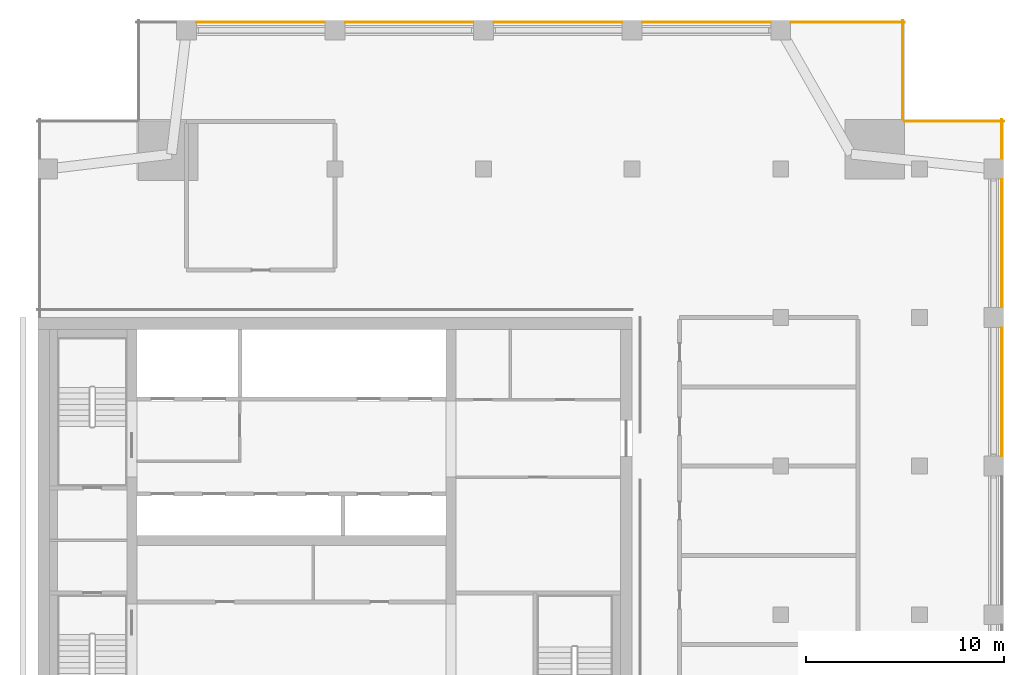
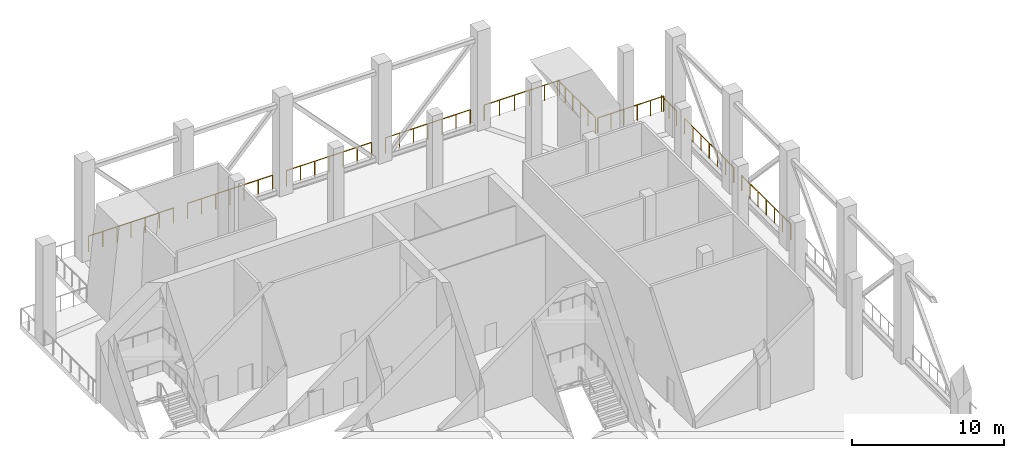
# One storey, part 11 of 11: 10 railings.
"""IFC4 building model written with IfcOpenShell, lengths in metres."""

from ifc_helpers import new_model, si_unit, direction, frame, origin, origin_2d, place, context, subcontext, project, spatial, circle, extrude, material, type_object, element, save


model = new_model("IFC4")

# Units and contexts
model_context = context("Model", 3, precision=1e-05, world=origin(), true_north=direction((0.0, 1.0)))
body_context = subcontext(model_context, "Body", "Model", "MODEL_VIEW")
ifc_project = project(units=[si_unit("LENGTHUNIT", "METRE"), si_unit("AREAUNIT", "SQUARE_METRE"), si_unit("VOLUMEUNIT", "CUBIC_METRE"), si_unit("PLANEANGLEUNIT", "RADIAN"), si_unit("MASSUNIT", "GRAM", prefix="KILO")], contexts=[model_context])

# Site, building, storey
site_placement = place(None, origin())
site = spatial("IfcSite", under=ifc_project, at=site_placement, CompositionType="ELEMENT")
building_placement = place(site_placement, origin())
building = spatial("IfcBuilding", under=site, at=building_placement, Name="Tamorin Gate", CompositionType="ELEMENT")
storey_placement = place(building_placement, frame((0.0, 0.0, 258.199951171875)))
storey = spatial("IfcBuildingStorey", under=building, at=storey_placement, Name="L65", CompositionType="ELEMENT", Elevation=258.199951171875)

# Railings
ifc_material = material(Name="Stainless steel", Category="steel")
railing_type = type_object("IfcRailingType", Name="Wind floor guard 1250", PredefinedType="GUARDRAIL", material=ifc_material)
for number, where, name in (
    (1, (78.64990234375, 75.530029296875, 0.0), "Open edge guard"),
    (2, (78.64990234375, 83.030029296875, 0.0), "Open edge guard"),
):
    element("IfcRailing", number, at=place(storey_placement, frame(where)), inside=storey, type_object=railing_type, Name=name, PredefinedType="GUARDRAIL", context=body_context, shape_type="SweptSolid", body=[
        extrude(circle(Radius=0.02392578125, at=origin_2d()), frame((0.0, 0.0, 1.22607421875), z_axis=(0.0, 1.0, 0.0), x_axis=(-1.0, 0.0, 0.0)), (0.0, 0.0, 1.0), 6.43994140625),
        extrude(circle(Radius=0.02099609375, at=origin_2d()), origin(), (0.0, 0.0, 1.0), 1.201904296875),
        extrude(circle(Radius=0.02099609375, at=origin_2d()), frame((0.0, 1.0732421875, 0.0)), (0.0, 0.0, 1.0), 1.201904296875),
        extrude(circle(Radius=0.02099609375, at=origin_2d()), frame((0.0, 2.146728515625, 0.0)), (0.0, 0.0, 1.0), 1.201904296875),
        extrude(circle(Radius=0.02099609375, at=origin_2d()), frame((0.0, 3.219970703125, 0.0)), (0.0, 0.0, 1.0), 1.201904296875),
        extrude(circle(Radius=0.02099609375, at=origin_2d()), frame((0.0, 4.293212890625, 0.0)), (0.0, 0.0, 1.0), 1.201904296875),
        extrude(circle(Radius=0.02099609375, at=origin_2d()), frame((0.0, 5.36669921875, 0.0)), (0.0, 0.0, 1.0), 1.201904296875),
        extrude(circle(Radius=0.02099609375, at=origin_2d()), frame((0.0, 6.43994140625, 0.0)), (0.0, 0.0, 1.0), 1.201904296875),
    ])
railing_1_placement = place(storey_placement, frame((78.64990234375, 90.530029296875, 0.0)))
element("IfcRailing", 3, at=railing_1_placement, inside=storey, type_object=railing_type, Name="Open edge guard", PredefinedType="GUARDRAIL", context=body_context, shape_type="SweptSolid", body=[
    extrude(circle(Radius=0.02392578125, at=origin_2d()), frame((0.0, 0.0, 1.22607421875), z_axis=(0.0, 1.0, 0.0), x_axis=(-1.0, 0.0, 0.0)), (0.0, 0.0, 1.0), 1.969970703125),
    extrude(circle(Radius=0.02099609375, at=origin_2d()), origin(), (0.0, 0.0, 1.0), 1.201904296875),
    extrude(circle(Radius=0.02099609375, at=origin_2d()), frame((0.0, 0.98486328125, 0.0)), (0.0, 0.0, 1.0), 1.201904296875),
    extrude(circle(Radius=0.02099609375, at=origin_2d()), frame((0.0, 1.969970703125, 0.0)), (0.0, 0.0, 1.0), 1.201904296875),
])
railing_2_placement = place(storey_placement, frame((78.75, 92.39990234375, 0.0)))
element("IfcRailing", 4, at=railing_2_placement, inside=storey, type_object=railing_type, Name="Open edge guard", PredefinedType="GUARDRAIL", context=body_context, shape_type="SweptSolid", body=[
    extrude(circle(Radius=0.02392578125, at=origin_2d()), frame((0.0, 0.0, 1.22607421875), z_axis=(-1.0, 0.0, 0.0), x_axis=(0.0, -1.0, 0.0)), (0.0, 0.0, 1.0), 5.0),
    extrude(circle(Radius=0.02099609375, at=origin_2d()), origin(), (0.0, 0.0, 1.0), 1.201904296875),
    extrude(circle(Radius=0.02099609375, at=origin_2d()), frame((-1.0, 0.0, 0.0)), (0.0, 0.0, 1.0), 1.201904296875),
    extrude(circle(Radius=0.02099609375, at=origin_2d()), frame((-2.0, 0.0, 0.0)), (0.0, 0.0, 1.0), 1.201904296875),
    extrude(circle(Radius=0.02099609375, at=origin_2d()), frame((-3.0, 0.0, 0.0)), (0.0, 0.0, 1.0), 1.201904296875),
    extrude(circle(Radius=0.02099609375, at=origin_2d()), frame((-4.0, 0.0, 0.0)), (0.0, 0.0, 1.0), 1.201904296875),
    extrude(circle(Radius=0.02099609375, at=origin_2d()), frame((-5.0, 0.0, 0.0)), (0.0, 0.0, 1.0), 1.201904296875),
])
railing_3_placement = place(storey_placement, frame((73.64990234375, 92.5, 0.0)))
element("IfcRailing", 5, at=railing_3_placement, inside=storey, type_object=railing_type, Name="Open edge guard", PredefinedType="GUARDRAIL", context=body_context, shape_type="SweptSolid", body=[
    extrude(circle(Radius=0.02392578125, at=origin_2d()), frame((0.0, 0.0, 1.22607421875), z_axis=(0.0, 1.0, 0.0), x_axis=(-1.0, 0.0, 0.0)), (0.0, 0.0, 1.0), 5.0),
    extrude(circle(Radius=0.02099609375, at=origin_2d()), origin(), (0.0, 0.0, 1.0), 1.201904296875),
    extrude(circle(Radius=0.02099609375, at=origin_2d()), frame((0.0, 1.0, 0.0)), (0.0, 0.0, 1.0), 1.201904296875),
    extrude(circle(Radius=0.02099609375, at=origin_2d()), frame((0.0, 2.0, 0.0)), (0.0, 0.0, 1.0), 1.201904296875),
    extrude(circle(Radius=0.02099609375, at=origin_2d()), frame((0.0, 3.0, 0.0)), (0.0, 0.0, 1.0), 1.201904296875),
    extrude(circle(Radius=0.02099609375, at=origin_2d()), frame((0.0, 4.0, 0.0)), (0.0, 0.0, 1.0), 1.201904296875),
    extrude(circle(Radius=0.02099609375, at=origin_2d()), frame((0.0, 5.0, 0.0)), (0.0, 0.0, 1.0), 1.201904296875),
])
railing_4_placement = place(storey_placement, frame((73.75, 97.39990234375, 0.0)))
element("IfcRailing", 6, at=railing_4_placement, inside=storey, type_object=railing_type, Name="Open edge guard", PredefinedType="GUARDRAIL", context=body_context, shape_type="SweptSolid", body=[
    extrude(circle(Radius=0.02392578125, at=origin_2d()), frame((0.0, 0.0, 1.22607421875), z_axis=(-1.0, 0.0, 0.0), x_axis=(0.0, -1.0, 0.0)), (0.0, 0.0, 1.0), 5.719970703125),
    extrude(circle(Radius=0.02099609375, at=origin_2d()), origin(), (0.0, 0.0, 1.0), 1.201904296875),
    extrude(circle(Radius=0.02099609375, at=origin_2d()), frame((-1.14404296875, 0.0, 0.0)), (0.0, 0.0, 1.0), 1.201904296875),
    extrude(circle(Radius=0.02099609375, at=origin_2d()), frame((-2.2880859375, 0.0, 0.0)), (0.0, 0.0, 1.0), 1.201904296875),
    extrude(circle(Radius=0.02099609375, at=origin_2d()), frame((-3.431884765625, 0.0, 0.0)), (0.0, 0.0, 1.0), 1.201904296875),
    extrude(circle(Radius=0.02099609375, at=origin_2d()), frame((-4.575927734375, 0.0, 0.0)), (0.0, 0.0, 1.0), 1.201904296875),
    extrude(circle(Radius=0.02099609375, at=origin_2d()), frame((-5.719970703125, 0.0, 0.0)), (0.0, 0.0, 1.0), 1.201904296875),
])
for number, where, name in (
    (7, (66.969970703125, 97.39990234375, 0.0), "Open edge guard"),
    (8, (59.469970703125, 97.39990234375, 0.0), "Open edge guard"),
    (9, (51.969970703125, 97.39990234375, 0.0), "Open edge guard"),
    (10, (44.469970703125, 97.39990234375, 0.0), "Open edge guard"),
):
    element("IfcRailing", number, at=place(storey_placement, frame(where)), inside=storey, type_object=railing_type, Name=name, PredefinedType="GUARDRAIL", context=body_context, shape_type="SweptSolid", body=[
        extrude(circle(Radius=0.02392578125, at=origin_2d()), frame((0.0, 0.0, 1.22607421875), z_axis=(-1.0, 0.0, 0.0), x_axis=(0.0, -1.0, 0.0)), (0.0, 0.0, 1.0), 6.43994140625),
        extrude(circle(Radius=0.02099609375, at=origin_2d()), origin(), (0.0, 0.0, 1.0), 1.201904296875),
        extrude(circle(Radius=0.02099609375, at=origin_2d()), frame((-1.0732421875, 0.0, 0.0)), (0.0, 0.0, 1.0), 1.201904296875),
        extrude(circle(Radius=0.02099609375, at=origin_2d()), frame((-2.146728515625, 0.0, 0.0)), (0.0, 0.0, 1.0), 1.201904296875),
        extrude(circle(Radius=0.02099609375, at=origin_2d()), frame((-3.219970703125, 0.0, 0.0)), (0.0, 0.0, 1.0), 1.201904296875),
        extrude(circle(Radius=0.02099609375, at=origin_2d()), frame((-4.293212890625, 0.0, 0.0)), (0.0, 0.0, 1.0), 1.201904296875),
        extrude(circle(Radius=0.02099609375, at=origin_2d()), frame((-5.36669921875, 0.0, 0.0)), (0.0, 0.0, 1.0), 1.201904296875),
        extrude(circle(Radius=0.02099609375, at=origin_2d()), frame((-6.43994140625, 0.0, 0.0)), (0.0, 0.0, 1.0), 1.201904296875),
    ])

save(model, "model.ifc")
